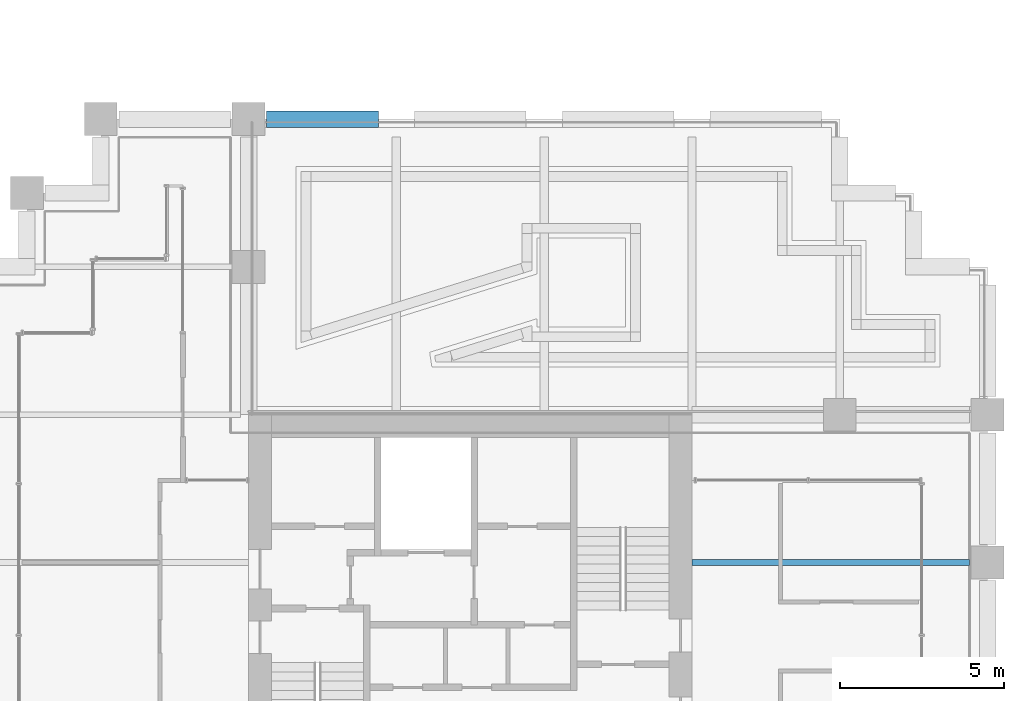
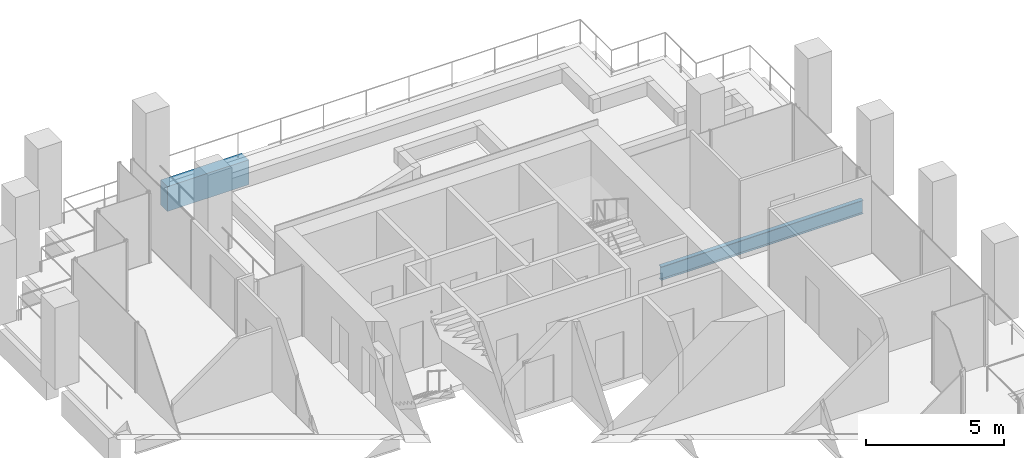
# One storey, part 38 of 52: 2 beams.
"""IFC4 building model written with IfcOpenShell, lengths in metres."""

from ifc_helpers import new_model, si_unit, direction, frame, origin, origin_2d, place, context, subcontext, project, spatial, rectangle, i_section, extrude, material, material_profile, profile_set, type_object, element, save


model = new_model("IFC4")

# Units and contexts
model_context = context("Model", 3, precision=1e-05, world=origin(), true_north=direction((0.0, 1.0)))
body_context = subcontext(model_context, "Body", "Model", "MODEL_VIEW")
ifc_project = project(units=[si_unit("LENGTHUNIT", "METRE"), si_unit("AREAUNIT", "SQUARE_METRE"), si_unit("VOLUMEUNIT", "CUBIC_METRE"), si_unit("PLANEANGLEUNIT", "RADIAN"), si_unit("MASSUNIT", "GRAM", prefix="KILO")], contexts=[model_context])

# Site, building, storey
site_placement = place(None, origin())
site = spatial("IfcSite", under=ifc_project, at=site_placement, CompositionType="ELEMENT")
building_placement = place(site_placement, origin())
building = spatial("IfcBuilding", under=site, at=building_placement, Name="Altepetl Exchange Towers", CompositionType="ELEMENT")
storey_placement = place(building_placement, frame((0.0, 0.0, 92.0)))
storey = spatial("IfcBuildingStorey", under=building, at=storey_placement, Name="L22", CompositionType="ELEMENT", Elevation=92.0)

# Beams
ifc_material_1 = material(Name="Steel S355", Category="steel")
ifc_material_profile_1 = material_profile(ifc_material_1, i_section(OverallWidth=0.177978515625, OverallDepth=0.59912109375, WebThickness=0.010009765625, FlangeThickness=0.0126953125, at=origin_2d()), Name="W24X55")
ifc_profile_set_1 = profile_set([ifc_material_profile_1], Name="Steel S355")
beam_type_1 = type_object("IfcBeamType", Name="Floor beam W24X55", PredefinedType="BEAM", material=ifc_profile_set_1)
beam_1_placement = place(storey_placement, frame((117.0, 45.0, -0.449462890625), z_axis=(1.0, 0.0, 0.0), x_axis=(0.0, 1.0, 0.0)))
element("IfcBeam", 1, at=beam_1_placement, inside=storey, type_object=beam_type_1, Name="bm:B:L22:003", PredefinedType="BEAM", context=body_context, shape_type="SweptSolid", body=[
    extrude(i_section(OverallWidth=0.177978515625, OverallDepth=0.59912109375, WebThickness=0.010009765625, FlangeThickness=0.0126953125, at=origin_2d()), origin(), (0.0, 0.0, 1.0), 8.449951171875),
])
ifc_material_2 = material(Name="Concrete C50/60 precast with cantera amarilla facing", Category="concrete")
ifc_material_profile_2 = material_profile(ifc_material_2, rectangle(XDim=0.5, YDim=1.10009765625, at=origin_2d()), Name="500 x 1100")
ifc_profile_set_2 = profile_set([ifc_material_profile_2], Name="Concrete C50/60 precast with cantera amarilla facing")
beam_type_2 = type_object("IfcBeamType", Name="Spandrel beam 500x1100 cantera amarilla", PredefinedType="SPANDREL", material=ifc_profile_set_2)
beam_2_placement = place(storey_placement, frame((107.449951171875, 58.5, -0.699951171875), z_axis=(-1.0, 0.0, 0.0), x_axis=(0.0, -1.0, 0.0)))
element("IfcBeam", 2, at=beam_2_placement, inside=storey, type_object=beam_type_2, Name="sp:B:L22:t008", PredefinedType="SPANDREL", context=body_context, shape_type="SweptSolid", body=[
    extrude(rectangle(XDim=0.5, YDim=1.10009765625, at=origin_2d()), origin(), (0.0, 0.0, 1.0), 3.39990234375),
])

save(model, "model.ifc")
